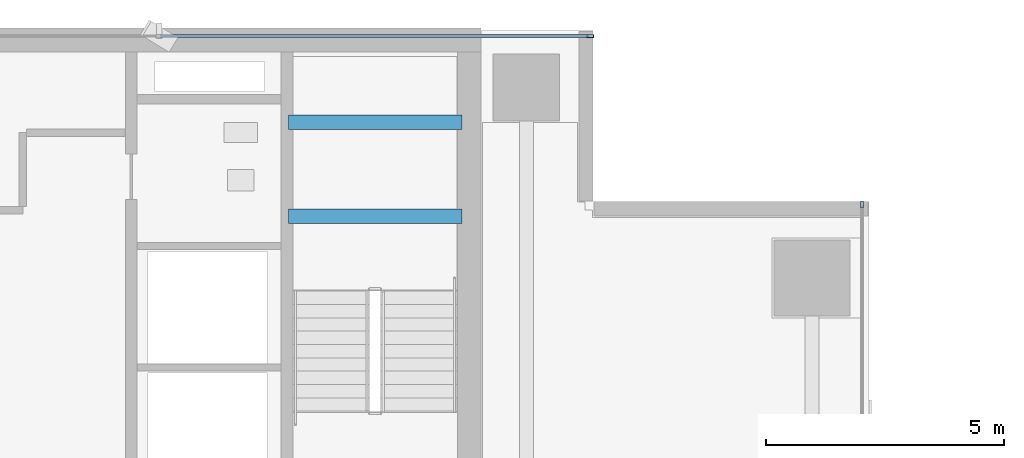
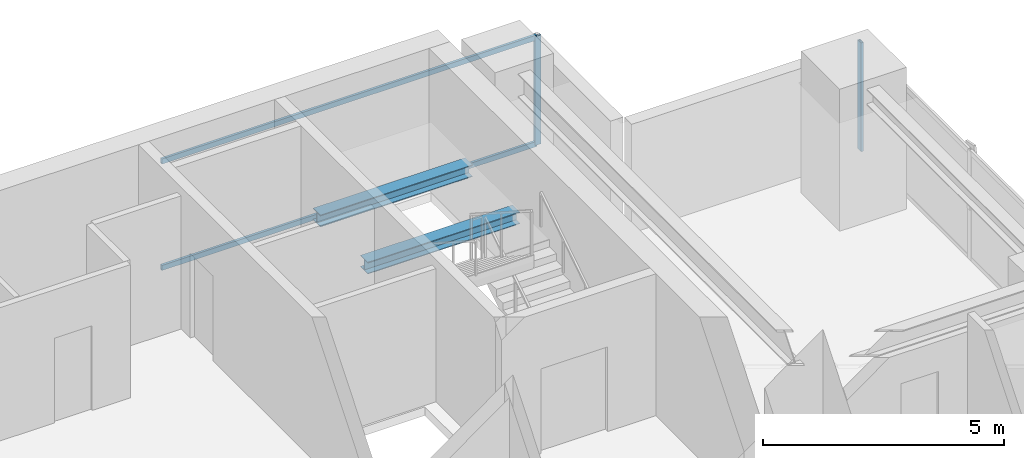
# One storey, part 23 of 31: 4 members, 2 beams, 2 elements without a shape of their own.
"""IFC4 building model written with IfcOpenShell, lengths in metres."""

import ifcopenshell
import ifcopenshell.guid

model = None  # the IFC model being written
_history = None  # IfcOwnerHistory: only IFC2X3 demands one
_inside = {}  # id of a spatial element -> (the spatial element, [elements in it])
_under = {}  # id of a project, library or spatial element -> (it, [spatial elements below it])
_declared = {}  # id of a project -> (the project, [libraries it declares])
_typed = {}  # id of a type object -> (the type object, [elements of that type])
_made_of = {}  # id of a material, layer set ... -> (it, [elements and type objects made of it])


def new_model(schema):
    """Start an empty IFC model of exactly this schema.

    Asked for "IFC4X3", IfcOpenShell would pick the latest addendum, in which some entities
    have other attributes; the version numbers below select the first issue.
    IFC2X3 requires an IfcOwnerHistory on every rooted entity: one is made here for all.
    """
    global model, _history
    if schema == "IFC4X3":
        model = ifcopenshell.file(schema_version=(4, 3, 0, 0))
    else:
        model = ifcopenshell.file(schema=schema)
    _inside.clear()
    _under.clear()
    _declared.clear()
    _typed.clear()
    _made_of.clear()
    _history = None
    if model.schema == "IFC2X3":
        org = make("IfcOrganization", Name="unknown")
        user = make(
            "IfcPersonAndOrganization",
            ThePerson=make("IfcPerson", FamilyName="unknown"),
            TheOrganization=org,
        )
        app = make(
            "IfcApplication",
            ApplicationDeveloper=org,
            Version="unknown",
            ApplicationFullName="unknown",
            ApplicationIdentifier="unknown",
        )
        _history = make(
            "IfcOwnerHistory",
            OwningUser=user,
            OwningApplication=app,
            ChangeAction="ADDED",
            CreationDate=0,
        )
    return model


def make(cls, **values):
    """One entity of the class cls with the attributes given. An attribute that is None is left unset."""
    return model.create_entity(
        cls, **{name: value for name, value in values.items() if value is not None}
    )


def rooted(cls, **values):
    """An entity with a GlobalId (a new one), such as an element, a storey or a relation."""
    return make(cls, GlobalId=ifcopenshell.guid.new(), OwnerHistory=_history, **values)


def si_unit(unit_type, name, prefix=None):
    """IfcSIUnit, for example si_unit("LENGTHUNIT", "METRE", prefix="MILLI")."""
    return make("IfcSIUnit", UnitType=unit_type, Prefix=prefix, Name=name)


def assignment(units):
    """IfcUnitAssignment: the units of a project."""
    return None if units is None else make("IfcUnitAssignment", Units=units)


def point(xyz):
    """IfcCartesianPoint."""
    return None if xyz is None else make("IfcCartesianPoint", Coordinates=xyz)


def direction(xyz):
    """IfcDirection."""
    return None if xyz is None else make("IfcDirection", DirectionRatios=xyz)


def frame(location, z_axis=None, x_axis=None):
    """IfcAxis2Placement3D, a coordinate frame: its origin and axes. An axis left out is left unset."""
    return make(
        "IfcAxis2Placement3D",
        Location=point(location),
        Axis=direction(z_axis),
        RefDirection=direction(x_axis),
    )


def frame_2d(location, x_axis=None):
    """IfcAxis2Placement2D, a coordinate frame in the plane: its origin and x axis."""
    return make(
        "IfcAxis2Placement2D", Location=point(location), RefDirection=direction(x_axis)
    )


def origin():
    """The frame at (0, 0, 0) with its axes left unset."""
    return frame((0.0, 0.0, 0.0))


def origin_2d():
    """The frame at (0, 0) in the plane with its x axis left unset."""
    return frame_2d((0.0, 0.0))


def place(relative_to, where):
    """IfcLocalPlacement: puts the frame where relative to a parent placement (None: the world)."""
    return make(
        "IfcLocalPlacement", PlacementRelTo=relative_to, RelativePlacement=where
    )


def context(
    kind, dimensions, precision=None, world=None, true_north=None, identifier=None
):
    """IfcGeometricRepresentationContext, for example the 3D "Model" context."""
    return make(
        "IfcGeometricRepresentationContext",
        ContextIdentifier=identifier,
        ContextType=kind,
        CoordinateSpaceDimension=dimensions,
        Precision=precision,
        WorldCoordinateSystem=world,
        TrueNorth=true_north,
    )


def subcontext(parent, identifier, kind, view, scale=None):
    """IfcGeometricRepresentationSubContext, for example "Body" below "Model"."""
    return make(
        "IfcGeometricRepresentationSubContext",
        ContextIdentifier=identifier,
        ContextType=kind,
        ParentContext=parent,
        TargetScale=scale,
        TargetView=view,
    )


def project(units=None, contexts=None):
    """IfcProject with its units and contexts."""
    return rooted(
        "IfcProject",
        Name="project",
        RepresentationContexts=contexts,
        UnitsInContext=assignment(units),
    )


def spatial(cls, under=None, at=None, **own):
    """A site, building, storey or space (cls), placed at a placement, below another one or the project."""
    s = rooted(cls, ObjectPlacement=at, **own)
    if under is not None:
        _under.setdefault(under.id(), (under, []))[1].append(s)
    return s


def profile(cls, at=None, kind="AREA", **sizes):
    """A parametric profile (cls). Its sizes go by their IFC names, for example OverallWidth=200.0."""
    return make(cls, ProfileType=kind, Position=at, **sizes)


def hollow_rectangle(**sizes):
    """IfcRectangleHollowProfileDef."""
    return profile("IfcRectangleHollowProfileDef", **sizes)


def i_section(**sizes):
    """IfcIShapeProfileDef."""
    return profile("IfcIShapeProfileDef", **sizes)


def extrude(swept, where, along, depth):
    """IfcExtrudedAreaSolid: the profile swept, set in the frame where, extruded along a direction by depth."""
    return make(
        "IfcExtrudedAreaSolid",
        SweptArea=swept,
        Position=where,
        ExtrudedDirection=direction(along),
        Depth=depth,
    )


def shape(context_of_items, identifier, shape_type, items):
    """IfcShapeRepresentation: the items that make up one representation, for example the "Body"."""
    return make(
        "IfcShapeRepresentation",
        ContextOfItems=context_of_items,
        RepresentationIdentifier=identifier,
        RepresentationType=shape_type,
        Items=items,
    )


def source(mapping_origin, context_of_items, identifier, shape_type, items):
    """IfcRepresentationMap: a shape defined once, which mapped items show again and again."""
    return make(
        "IfcRepresentationMap",
        MappingOrigin=mapping_origin,
        MappedRepresentation=shape(context_of_items, identifier, shape_type, items),
    )


def transform(
    local_origin,
    x_axis=None,
    y_axis=None,
    z_axis=None,
    scale=None,
    scale2=None,
    scale3=None,
    uniform=True,
):
    """IfcCartesianTransformationOperator3D, or its non-uniform kind. x_axis, y_axis, z_axis: its Axis1, 2, 3."""
    if uniform:
        return make(
            "IfcCartesianTransformationOperator3D",
            Axis1=direction(x_axis),
            Axis2=direction(y_axis),
            LocalOrigin=point(local_origin),
            Scale=scale,
            Axis3=direction(z_axis),
        )
    return make(
        "IfcCartesianTransformationOperator3DnonUniform",
        Axis1=direction(x_axis),
        Axis2=direction(y_axis),
        LocalOrigin=point(local_origin),
        Scale=scale,
        Axis3=direction(z_axis),
        Scale2=scale2,
        Scale3=scale3,
    )


def mapped(mapping_source, mapping_target):
    """IfcMappedItem: shows the shape of a source again, moved by a transform."""
    return make(
        "IfcMappedItem", MappingSource=mapping_source, MappingTarget=mapping_target
    )


def material(Name=None, Category=None):
    """IfcMaterial."""
    return make("IfcMaterial", Name=Name, Category=Category)


def layer(
    of_material, thickness, ventilated=None, Name=None, Category=None, Priority=None
):
    """IfcMaterialLayer: one layer of a wall or slab, of a material (None: an air gap)."""
    return make(
        "IfcMaterialLayer",
        Material=of_material,
        LayerThickness=thickness,
        IsVentilated=ventilated,
        Name=Name,
        Category=Category,
        Priority=Priority,
    )


def layer_set(layers, Name=None):
    """IfcMaterialLayerSet."""
    return make("IfcMaterialLayerSet", MaterialLayers=layers, LayerSetName=Name)


def material_profile(
    of_material, cross_section, Name=None, Category=None, Priority=None
):
    """IfcMaterialProfile: a cross section and its material."""
    return make(
        "IfcMaterialProfile",
        Name=Name,
        Material=of_material,
        Profile=cross_section,
        Priority=Priority,
        Category=Category,
    )


def profile_set(profiles, Name=None, composite=None):
    """IfcMaterialProfileSet."""
    return make(
        "IfcMaterialProfileSet",
        Name=Name,
        MaterialProfiles=profiles,
        CompositeProfile=composite,
    )


def made_of(thing, what):
    """Note that an element or type object is made of a material, layer set ...; save() writes the relation."""
    if what is not None:
        _made_of.setdefault(what.id(), (what, []))[1].append(thing)
    return thing


def type_object(cls, material=None, **own):
    """A type object (cls), such as IfcWallType, which elements share."""
    return made_of(rooted(cls, **own), material)


def element(
    cls,
    number,
    at=None,
    inside=None,
    cuts=None,
    type_object=None,
    material=None,
    context=None,
    identifier="Body",
    shape_type=None,
    held_by="IfcProductDefinitionShape",
    body=None,
    shapes=None,
    **own,
):
    """One element of the class cls, such as IfcWall. Its Tag is "e" and its number.

    at: its placement. inside: the storey or other place that contains it. cuts: it is an
    opening in that element (IfcRelVoidsElement). A single representation is given by context,
    identifier, shape_type and body (its items); several are given by shapes. held_by: the class
    of the entity that holds the representations. save() writes the other relations.
    """
    e = rooted(cls, Tag="e%d" % number, ObjectPlacement=at, **own)
    if body is not None:
        shapes = [shape(context, identifier, shape_type, body)]
    if shapes is not None:
        e.Representation = make(held_by, Representations=shapes)
    if inside is not None:
        _inside.setdefault(inside.id(), (inside, []))[1].append(e)
    if cuts is not None:
        rooted(
            "IfcRelVoidsElement", RelatingBuildingElement=cuts, RelatedOpeningElement=e
        )
    if type_object is not None:
        _typed.setdefault(type_object.id(), (type_object, []))[1].append(e)
    return made_of(e, material)


def aggregate(whole, parts):
    """IfcRelAggregates: a whole, such as a stair, and the parts it consists of."""
    return rooted("IfcRelAggregates", RelatingObject=whole, RelatedObjects=parts)


def save(model, path):
    """Write the relations noted so far, then the file.

    IfcRelAggregates (storeys below a building ...), IfcRelContainedInSpatialStructure (elements
    in a storey), IfcRelDefinesByType, IfcRelAssociatesMaterial and IfcRelDeclares: one each for
    every whole, place, type object, material and project.
    """
    for whole, parts in _under.values():
        aggregate(whole, parts)
    for where, things in _inside.values():
        rooted(
            "IfcRelContainedInSpatialStructure",
            RelatedElements=things,
            RelatingStructure=where,
        )
    for kind, things in _typed.values():
        rooted("IfcRelDefinesByType", RelatedObjects=things, RelatingType=kind)
    for what, things in _made_of.values():
        rooted("IfcRelAssociatesMaterial", RelatedObjects=things, RelatingMaterial=what)
    for by, libraries in _declared.values():
        rooted("IfcRelDeclares", RelatingContext=by, RelatedDefinitions=libraries)
    model.write(path)


model = new_model("IFC4")

# Units and contexts
model_context = context("Model", 3, precision=1e-05, world=origin(), true_north=direction((0.0, 1.0)))
body_context = subcontext(model_context, "Body", "Model", "MODEL_VIEW")
ifc_project = project(units=[si_unit("LENGTHUNIT", "METRE"), si_unit("AREAUNIT", "SQUARE_METRE"), si_unit("VOLUMEUNIT", "CUBIC_METRE"), si_unit("PLANEANGLEUNIT", "RADIAN"), si_unit("MASSUNIT", "GRAM", prefix="KILO")], contexts=[model_context])

# Site, building, storey
site_placement = place(None, origin())
site = spatial("IfcSite", under=ifc_project, at=site_placement, CompositionType="ELEMENT")
building_placement = place(site_placement, origin())
building = spatial("IfcBuilding", under=site, at=building_placement, Name="Sumidabori Civic Tower", CompositionType="ELEMENT")
storey_placement = place(building_placement, frame((0.0, 0.0, 221.60009765625)))
storey = spatial("IfcBuildingStorey", under=building, at=storey_placement, Name="L57", CompositionType="ELEMENT", Elevation=221.60009765625)

# Beams
ifc_material_1 = material(Name="Steel SN490", Category="steel")
ifc_material_profile_1 = material_profile(ifc_material_1, i_section(OverallWidth=0.300048828125, OverallDepth=0.300048828125, WebThickness=0.010986328125, FlangeThickness=0.01904296875, at=origin_2d()), Name="HE 300 B")
ifc_profile_set_1 = profile_set([ifc_material_profile_1], Name="Steel SN490")
beam_type = type_object("IfcBeamType", Name="BM-LDG-300", PredefinedType="BEAM", material=ifc_profile_set_1)
shared_shape_1 = source(origin(), body_context, "Body", "SweptSolid", [
    extrude(i_section(OverallWidth=0.300048828125, OverallDepth=0.300048828125, WebThickness=0.010986328125, FlangeThickness=0.01904296875, at=origin_2d()), origin(), (0.0, 0.0, 1.0), 3.64990234375),
])
for number, where, z_axis, x_axis, name in (
    (1, (11.800048828125, 20.09765625, 1.449951171875), (1.0, 0.0, 0.0), (0.0, 1.0, 0.0), "Stair ST-2 Landing Support Beam L57-1A"),
    (2, (11.800048828125, 22.069580078125, 1.449951171875), (1.0, 0.0, 0.0), (0.0, 1.0, 0.0), "Stair ST-2 Landing Trimmer Beam L57-1B"),
):
    element("IfcBeam", number, at=place(storey_placement, frame(where, z_axis=z_axis, x_axis=x_axis)), inside=storey, type_object=beam_type, Name=name, PredefinedType="BEAM", context=body_context, shape_type="MappedRepresentation", body=[
        mapped(shared_shape_1, transform((0.0, 0.0, 0.0), x_axis=(1.0, 0.0, 0.0), y_axis=(0.0, 1.0, 0.0), z_axis=(0.0, 0.0, 1.0), scale=1.0)),
    ])

# Curtain wall, member
ifc_material_2 = material(Name="Anodised Bronze Aluminium AW-6063-T6", Category="aluminium")
ifc_layer = layer(ifc_material_2, 0.179931640625, Name="Anodised Bronze Aluminium AW-6063-T6")
ifc_layer_set = layer_set([ifc_layer], Name="Anodised Bronze Aluminium AW-6063-T6")
curtain_wall_type = type_object("IfcCurtainWallType", Name="CW-SYS-5", PredefinedType="NOTDEFINED", material=ifc_layer_set)
curtain_wall_1_placement = place(storey_placement, origin())
curtain_wall_1 = element("IfcCurtainWall", 3, at=curtain_wall_1_placement, inside=storey, type_object=curtain_wall_type, Name="Curtain Wall CW:L57:R16", PredefinedType="NOTDEFINED")
ifc_material_profile_2 = material_profile(ifc_material_2, hollow_rectangle(XDim=0.06005859375, YDim=0.139892578125, WallThickness=0.0048828125, at=origin_2d()), Name="ALU MULLION 140x60")
ifc_profile_set_2 = profile_set([ifc_material_profile_2], Name="Anodised Bronze Aluminium AW-6063-T6")
member_type_1 = type_object("IfcMemberType", Name="CW-MUL-140", PredefinedType="MULLION", material=ifc_profile_set_2)
shared_shape_2 = source(origin(), body_context, "Body", "SweptSolid", [
    extrude(hollow_rectangle(XDim=0.06005859375, YDim=0.139892578125, WallThickness=0.0048828125, at=origin_2d()), origin(), (0.0, 0.0, 1.0), 2.760009765625),
])
member_1_placement = place(storey_placement, frame((23.85009765625, 20.340087890625, 0.0), z_axis=(0.0, 0.0, 1.0), x_axis=(-1.0, 0.0, 0.0)))
member_1 = element("IfcMember", 4, at=member_1_placement, type_object=member_type_1, Name="CW-5 mullion 3", PredefinedType="MULLION", context=body_context, shape_type="MappedRepresentation", body=[
    mapped(shared_shape_2, transform((0.0, 0.0, 0.0), x_axis=(1.0, 0.0, 0.0), y_axis=(0.0, 1.0, 0.0), z_axis=(0.0, 0.0, 1.0), scale=1.0)),
])
aggregate(curtain_wall_1, [member_1])

# Curtain wall, members
curtain_wall_2_placement = place(storey_placement, origin())
curtain_wall_2 = element("IfcCurtainWall", 5, at=curtain_wall_2_placement, inside=storey, type_object=curtain_wall_type, Name="Curtain Wall CW:L57:R19", PredefinedType="NOTDEFINED")
member_2_placement = place(storey_placement, frame((18.139892578125, 23.8798828125, 0.0), z_axis=(0.0, 0.0, 1.0), x_axis=(0.0, -1.0, 0.0)))
member_2 = element("IfcMember", 6, at=member_2_placement, type_object=member_type_1, Name="CW-5 mullion 1", PredefinedType="MULLION", context=body_context, shape_type="MappedRepresentation", body=[
    mapped(shared_shape_2, transform((0.0, 0.0, 0.0), x_axis=(1.0, 0.0, 0.0), y_axis=(0.0, 1.0, 0.0), z_axis=(0.0, 0.0, 1.0), scale=1.0)),
])
ifc_material_profile_3 = material_profile(ifc_material_2, hollow_rectangle(XDim=0.06005859375, YDim=0.1298828125, WallThickness=0.0048828125, at=origin_2d()), Name="ALU TRANSOM 130x60")
ifc_profile_set_3 = profile_set([ifc_material_profile_3], Name="Anodised Bronze Aluminium AW-6063-T6")
member_type_2 = type_object("IfcMemberType", Name="CW-TRN-130", PredefinedType="USERDEFINED", material=ifc_profile_set_3)
shared_shape_3 = source(origin(), body_context, "Body", "SweptSolid", [
    extrude(hollow_rectangle(XDim=0.06005859375, YDim=0.1298828125, WallThickness=0.0048828125, at=origin_2d()), origin(), (0.0, 0.0, 1.0), 8.9951171875),
])
member_3_placement = place(storey_placement, frame((18.110107421875, 23.8798828125, 0.02978515625), z_axis=(-1.0, 0.0, 0.0), x_axis=(0.0, -1.0, 0.0)))
member_3 = element("IfcMember", 7, at=member_3_placement, type_object=member_type_2, Name="CW-5 transom 1.1", ObjectType="TRANSOM", PredefinedType="USERDEFINED", context=body_context, shape_type="MappedRepresentation", body=[
    mapped(shared_shape_3, transform((0.0, 0.0, 0.0), x_axis=(1.0, 0.0, 0.0), y_axis=(0.0, 1.0, 0.0), z_axis=(0.0, 0.0, 1.0), scale=1.0)),
])
member_4_placement = place(storey_placement, frame((18.110107421875, 23.8798828125, 2.72998046875), z_axis=(-1.0, 0.0, 0.0), x_axis=(0.0, -1.0, 0.0)))
member_4 = element("IfcMember", 8, at=member_4_placement, type_object=member_type_2, Name="CW-5 transom 1.2", ObjectType="TRANSOM", PredefinedType="USERDEFINED", context=body_context, shape_type="MappedRepresentation", body=[
    mapped(shared_shape_3, transform((0.0, 0.0, 0.0), x_axis=(1.0, 0.0, 0.0), y_axis=(0.0, 1.0, 0.0), z_axis=(0.0, 0.0, 1.0), scale=1.0)),
])
aggregate(curtain_wall_2, [member_2, member_3, member_4])

save(model, "model.ifc")
